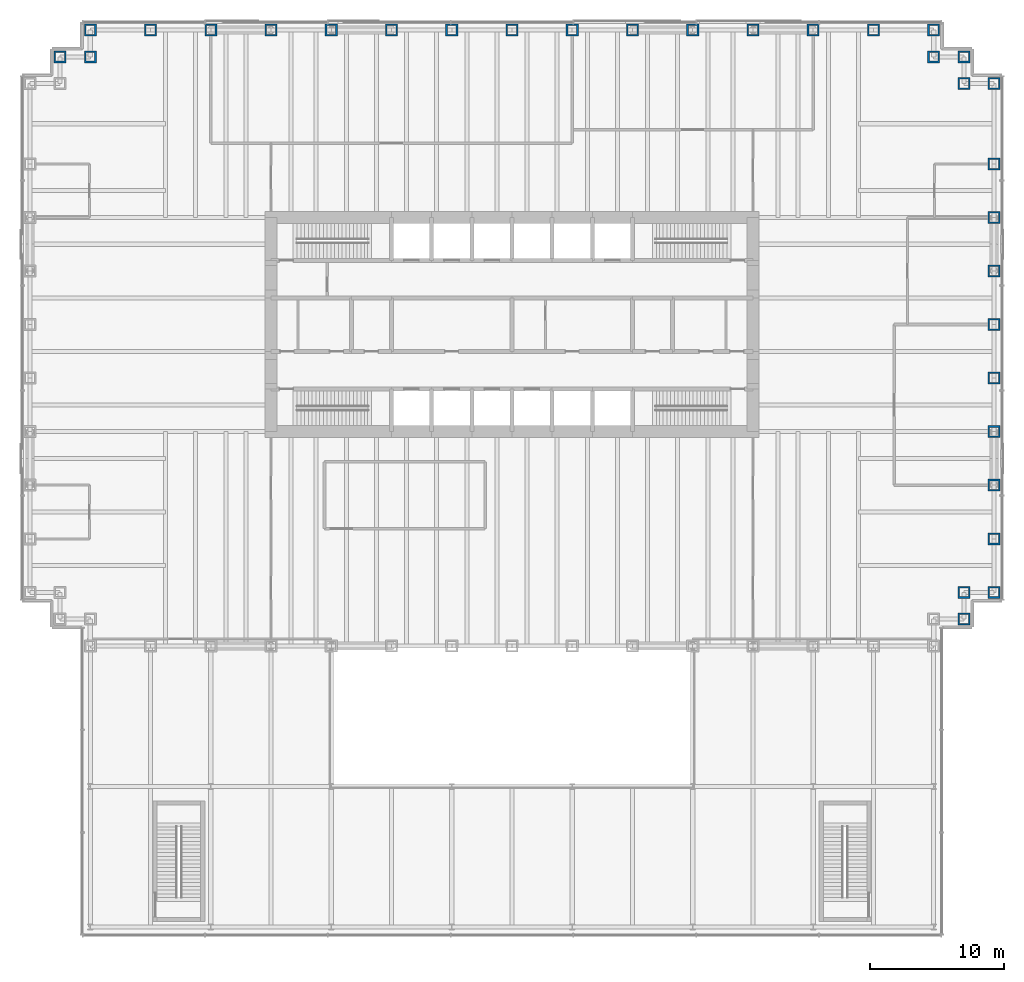
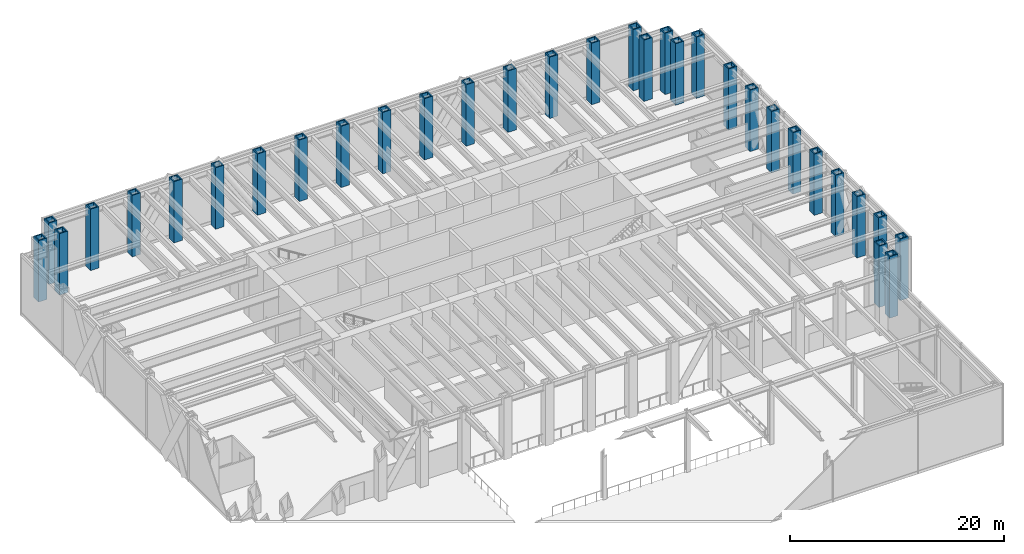
# One storey, part 2 of 17: 32 columns.
"""IFC4 building model written with IfcOpenShell, lengths in metres."""

from ifc_helpers import new_model, si_unit, direction, frame, origin, origin_2d, place, context, subcontext, project, spatial, hollow_rectangle, extrude, material, material_profile, profile_set, type_object, element, save


model = new_model("IFC4")

# Units and contexts
model_context = context("Model", 3, precision=1e-05, world=origin(), true_north=direction((0.0, 1.0)))
body_context = subcontext(model_context, "Body", "Model", "MODEL_VIEW")
ifc_project = project(units=[si_unit("LENGTHUNIT", "METRE"), si_unit("AREAUNIT", "SQUARE_METRE"), si_unit("VOLUMEUNIT", "CUBIC_METRE"), si_unit("PLANEANGLEUNIT", "RADIAN"), si_unit("MASSUNIT", "GRAM", prefix="KILO")], contexts=[model_context])

# Site, building, storey
site_placement = place(None, origin())
site = spatial("IfcSite", under=ifc_project, at=site_placement, CompositionType="ELEMENT")
building_placement = place(site_placement, origin())
building = spatial("IfcBuilding", under=site, at=building_placement, Name="Rheinbord Bourse Tower", CompositionType="ELEMENT")
storey_placement = place(building_placement, frame((0.0, 0.0, 6.0)))
storey = spatial("IfcBuildingStorey", under=building, at=storey_placement, Name="L01", CompositionType="ELEMENT", Elevation=6.0)

# Columns
ifc_material = material(Name="Steel S460M", Category="steel")
ifc_material_profile = material_profile(ifc_material, hollow_rectangle(XDim=0.89990234375, YDim=0.89990234375, WallThickness=0.1201171875, at=origin_2d()), Name="BOX 900x900x120")
ifc_profile_set = profile_set([ifc_material_profile], Name="Steel S460M")
column_type = type_object("IfcColumnType", Name="TUBE COLUMN BOX 900x900x120", PredefinedType="COLUMN", material=ifc_profile_set)
for number, where, z_axis, x_axis, name in (
    (1, (69.75, 2.0, 0.0), (0.0, 0.0, 1.0), (1.0, 0.0, 0.0), "Column SE-C L01"),
    (2, (69.75, 4.0, 0.0), (0.0, 0.0, 1.0), (1.0, 0.0, 0.0), "Column SE-B L01"),
    (3, (72.0, 4.0, 0.0), (0.0, 0.0, 1.0), (1.0, 0.0, 0.0), "Column SE-A L01"),
    (4, (72.0, 8.0, 0.0), (0.0, 0.0, 1.0), (1.0, 0.0, 0.0), "Column E-8 L01"),
    (5, (72.0, 12.0, 0.0), (0.0, 0.0, 1.0), (1.0, 0.0, 0.0), "Column E-12 L01"),
    (6, (72.0, 16.0, 0.0), (0.0, 0.0, 1.0), (1.0, 0.0, 0.0), "Column E-16 L01"),
    (7, (72.0, 20.0, 0.0), (0.0, 0.0, 1.0), (1.0, 0.0, 0.0), "Column E-20 L01"),
    (8, (72.0, 24.0, 0.0), (0.0, 0.0, 1.0), (1.0, 0.0, 0.0), "Column E-24 L01"),
    (9, (72.0, 28.0, 0.0), (0.0, 0.0, 1.0), (1.0, 0.0, 0.0), "Column E-28 L01"),
    (10, (72.0, 32.0, 0.0), (0.0, 0.0, 1.0), (1.0, 0.0, 0.0), "Column E-32 L01"),
    (11, (72.0, 36.0, 0.0), (0.0, 0.0, 1.0), (1.0, 0.0, 0.0), "Column E-36 L01"),
    (12, (72.0, 42.0, 0.0), (0.0, 0.0, 1.0), (1.0, 0.0, 0.0), "Column NE-A L01"),
    (13, (69.75, 42.0, 0.0), (0.0, 0.0, 1.0), (1.0, 0.0, 0.0), "Column NE-B L01"),
    (14, (69.75, 44.0, 0.0), (0.0, 0.0, 1.0), (1.0, 0.0, 0.0), "Column NE-C L01"),
    (15, (67.5, 44.0, 0.0), (0.0, 0.0, 1.0), (0.0, 1.0, 0.0), "Column NE-D L01"),
    (16, (67.5, 46.0, 0.0), (0.0, 0.0, 1.0), (0.0, 1.0, 0.0), "Column NE-E L01"),
    (17, (63.0, 46.0, 0.0), (0.0, 0.0, 1.0), (0.0, 1.0, 0.0), "Column N-63 L01"),
    (18, (58.5, 46.0, 0.0), (0.0, 0.0, 1.0), (0.0, 1.0, 0.0), "Column N-58.5 L01"),
    (19, (54.0, 46.0, 0.0), (0.0, 0.0, 1.0), (0.0, 1.0, 0.0), "Column N-54 L01"),
    (20, (49.5, 46.0, 0.0), (0.0, 0.0, 1.0), (0.0, 1.0, 0.0), "Column N-49.5 L01"),
    (21, (45.0, 46.0, 0.0), (0.0, 0.0, 1.0), (0.0, 1.0, 0.0), "Column N-45 L01"),
    (22, (40.5, 46.0, 0.0), (0.0, 0.0, 1.0), (0.0, 1.0, 0.0), "Column N-40.5 L01"),
    (23, (36.0, 46.0, 0.0), (0.0, 0.0, 1.0), (0.0, 1.0, 0.0), "Column N-36 L01"),
    (24, (31.5, 46.0, 0.0), (0.0, 0.0, 1.0), (0.0, 1.0, 0.0), "Column N-31.5 L01"),
    (25, (27.0, 46.0, 0.0), (0.0, 0.0, 1.0), (0.0, 1.0, 0.0), "Column N-27 L01"),
    (26, (22.5, 46.0, 0.0), (0.0, 0.0, 1.0), (0.0, 1.0, 0.0), "Column N-22.5 L01"),
    (27, (18.0, 46.0, 0.0), (0.0, 0.0, 1.0), (0.0, 1.0, 0.0), "Column N-18 L01"),
    (28, (13.5, 46.0, 0.0), (0.0, 0.0, 1.0), (0.0, 1.0, 0.0), "Column N-13.5 L01"),
    (29, (9.0, 46.0, 0.0), (0.0, 0.0, 1.0), (0.0, 1.0, 0.0), "Column N-9 L01"),
    (30, (4.5, 46.0, 0.0), (0.0, 0.0, 1.0), (0.0, 1.0, 0.0), "Column NW-E L01"),
    (31, (4.5, 44.0, 0.0), (0.0, 0.0, 1.0), (0.0, 1.0, 0.0), "Column NW-D L01"),
    (32, (2.25, 44.0, 0.0), (0.0, 0.0, 1.0), (1.0, 0.0, 0.0), "Column NW-C L01"),
):
    element("IfcColumn", number, at=place(storey_placement, frame(where, z_axis=z_axis, x_axis=x_axis)), inside=storey, type_object=column_type, Name=name, PredefinedType="COLUMN", context=body_context, shape_type="SweptSolid", body=[
        extrude(hollow_rectangle(XDim=0.89990234375, YDim=0.89990234375, WallThickness=0.1201171875, at=origin_2d()), origin(), (0.0, 0.0, 1.0), 7.0),
    ])

save(model, "model.ifc")
